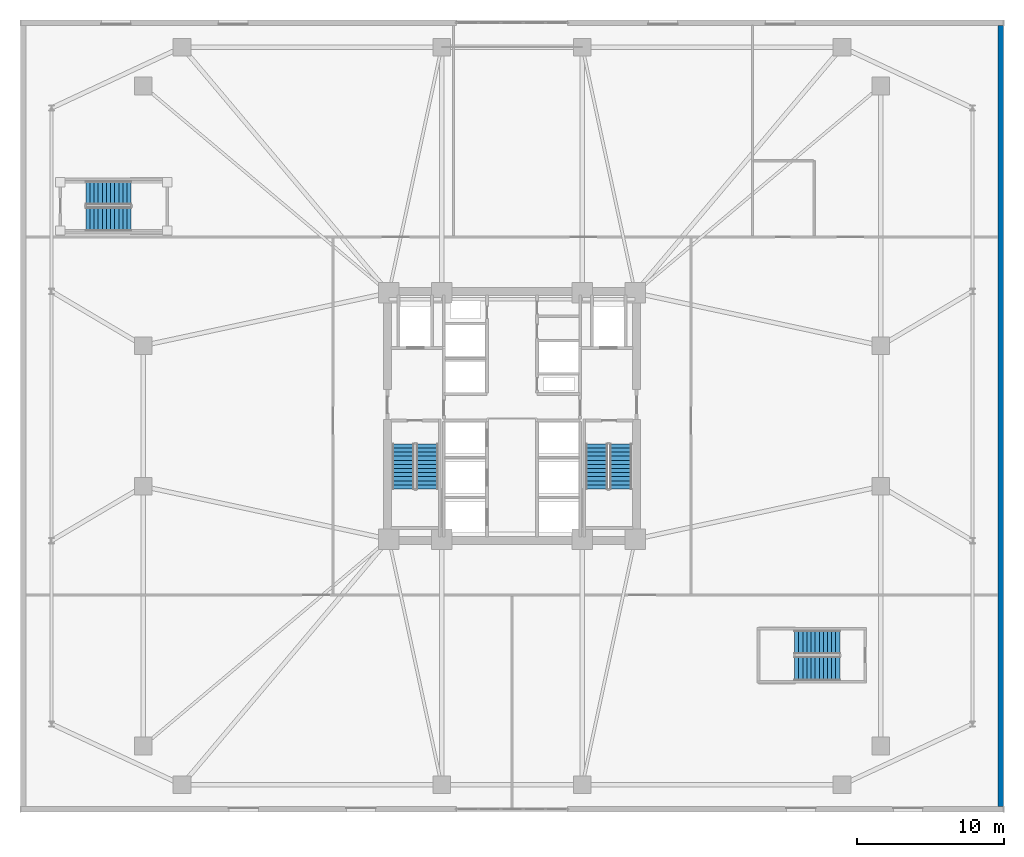
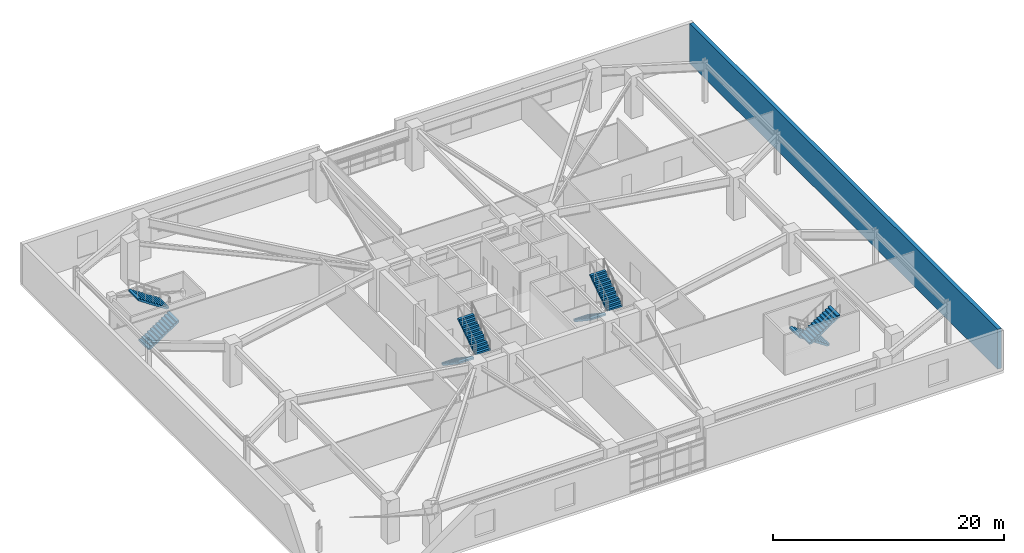
# One storey, part 15 of 21: 8 stair flights, 1 wall, 4 elements without a shape of their own.
"""IFC4 building model written with IfcOpenShell, lengths in metres."""

from ifc_helpers import new_model, si_unit, direction, frame, frame_2d, origin, place, context, subcontext, project, spatial, polyline, rectangle, outline, extrude, material, layer, layer_set, type_object, element, aggregate, save


model = new_model("IFC4")

# Units and contexts
model_context = context("Model", 3, precision=1e-05, world=origin(), true_north=direction((0.0, 1.0)))
body_context = subcontext(model_context, "Body", "Model", "MODEL_VIEW")
ifc_project = project(units=[si_unit("LENGTHUNIT", "METRE"), si_unit("AREAUNIT", "SQUARE_METRE"), si_unit("VOLUMEUNIT", "CUBIC_METRE"), si_unit("PLANEANGLEUNIT", "RADIAN"), si_unit("MASSUNIT", "GRAM", prefix="KILO")], contexts=[model_context])

# Site, building, storey
site_placement = place(None, origin())
site = spatial("IfcSite", under=ifc_project, at=site_placement, CompositionType="ELEMENT")
building_placement = place(site_placement, origin())
building = spatial("IfcBuilding", under=site, at=building_placement, Name="Cairnveth Concourse Tower", CompositionType="ELEMENT")
storey_placement = place(building_placement, frame((0.0, 0.0, 10.0)))
storey = spatial("IfcBuildingStorey", under=building, at=storey_placement, Name="L02", CompositionType="ELEMENT", Elevation=10.0)

# Wall
ifc_material_1 = material(Name="Hawthorn Red-Ochre Fired Clay Brick Masonry", Category="masonry")
ifc_layer = layer(ifc_material_1, 0.3798828125)
ifc_layer_set = layer_set([ifc_layer], Name="Hawthorn Red-Ochre Fired Clay Brick Masonry")
wall_type = type_object("IfcWallType", Name="UPPER PODIUM BRICK WALL 380", PredefinedType="SOLIDWALL", material=ifc_layer_set)
wall_placement = place(storey_placement, frame((85.31005859375, 65.635009765625, 0.0), z_axis=(0.0, 0.0, 1.0), x_axis=(0.0, -1.0, 0.0)))
element("IfcWall", 1, at=wall_placement, inside=storey, type_object=wall_type, Name="Exterior Wall EW-L02-E", PredefinedType="SOLIDWALL", context=body_context, shape_type="SweptSolid", body=[
    extrude(rectangle(XDim=53.27001953125, YDim=0.3798828125, at=frame_2d((26.635009765625, 0.0))), origin(), (0.0, 0.0, 1.0), 4.219970703125),
])

# Stair, stair flights
ifc_material_2 = material(Name="Precast concrete N50 (50 MPa)", Category="concrete")
stair_type_1 = type_object("IfcStairType", Name="CORE DOG-LEG FIRE STAIR 1500", PredefinedType="HALF_TURN_STAIR", material=ifc_material_2)
stair_1_placement = place(storey_placement, origin())
stair_1 = element("IfcStair", 2, at=stair_1_placement, inside=storey, type_object=stair_type_1, Name="L02 Fire-Isolated Stair ST-1", PredefinedType="HALF_TURN_STAIR")
stair_flight_type_1 = type_object("IfcStairFlightType", Name="PRECAST CONCRETE STAIR FLIGHT 1500", PredefinedType="STRAIGHT", material=ifc_material_2)
stair_flight_1_placement = place(storey_placement, frame((44.590087890625, 37.10009765625, 0.0), z_axis=(0.0, 0.0, 1.0), x_axis=(0.0, -1.0, 0.0)))
stair_flight_1 = element("IfcStairFlight", 3, at=stair_flight_1_placement, type_object=stair_flight_type_1, Name="ST-1 flight 1", NumberOfRisers=12, NumberOfTreads=11, PredefinedType="STRAIGHT", RiserHeight=0.1875, TreadLength=0.28, context=body_context, shape_type="SweptSolid", body=[
    extrude(outline(polyline([(0.0, 0.0), (0.0, 0.1875), (0.280029296875, 0.1875), (0.280029296875, 0.375), (0.56005859375, 0.375), (0.56005859375, 0.5625), (0.840087890625, 0.5625), (0.840087890625, 0.75), (1.1201171875, 0.75), (1.1201171875, 0.9375), (1.39990234375, 0.9375), (1.39990234375, 1.125), (1.679931640625, 1.125), (1.679931640625, 1.3125), (1.9599609375, 1.3125), (1.9599609375, 1.5), (2.239990234375, 1.5), (2.239990234375, 1.6875), (2.52001953125, 1.6875), (2.52001953125, 1.875), (2.800048828125, 1.875), (2.800048828125, 2.0625), (3.080078125, 2.0625), (3.080078125, 2.25), (3.080078125, 1.882080078125), (0.26953125, 0.0), (0.0, 0.0)])), frame((0.0, 0.75, 0.0), z_axis=(0.0, -1.0, 0.0), x_axis=(1.0, 0.0, 0.0)), (0.0, 0.0, 1.0), 1.5),
])
stair_flight_2_placement = place(storey_placement, frame((46.22998046875, 34.02001953125, 2.25), z_axis=(0.0, 0.0, 1.0), x_axis=(0.0, 1.0, 0.0)))
stair_flight_2 = element("IfcStairFlight", 4, at=stair_flight_2_placement, type_object=stair_flight_type_1, Name="ST-1 flight 2", NumberOfRisers=12, NumberOfTreads=11, PredefinedType="STRAIGHT", RiserHeight=0.1875, TreadLength=0.28, context=body_context, shape_type="SweptSolid", body=[
    extrude(outline(polyline([(0.0, 0.0), (0.0, 0.1875), (0.280029296875, 0.1875), (0.280029296875, 0.375), (0.56005859375, 0.375), (0.56005859375, 0.5625), (0.840087890625, 0.5625), (0.840087890625, 0.75), (1.1201171875, 0.75), (1.1201171875, 0.9375), (1.39990234375, 0.9375), (1.39990234375, 1.125), (1.679931640625, 1.125), (1.679931640625, 1.3125), (1.9599609375, 1.3125), (1.9599609375, 1.5), (2.239990234375, 1.5), (2.239990234375, 1.6875), (2.52001953125, 1.6875), (2.52001953125, 1.875), (2.800048828125, 1.875), (2.800048828125, 2.0625), (3.080078125, 2.0625), (3.080078125, 2.25), (3.080078125, 1.882080078125), (0.26953125, 0.0), (0.0, 0.0)])), frame((0.0, 0.75, 0.0), z_axis=(0.0, -1.0, 0.0), x_axis=(1.0, 0.0, 0.0)), (0.0, 0.0, 1.0), 1.5),
])
aggregate(stair_1, [stair_flight_1, stair_flight_2])

stair_2_placement = place(storey_placement, origin())
stair_2 = element("IfcStair", 5, at=stair_2_placement, inside=storey, type_object=stair_type_1, Name="L02 Fire-Isolated Stair ST-2", PredefinedType="HALF_TURN_STAIR")
stair_flight_3_placement = place(storey_placement, frame((57.77001953125, 37.10009765625, 0.0), z_axis=(0.0, 0.0, 1.0), x_axis=(0.0, -1.0, 0.0)))
stair_flight_3 = element("IfcStairFlight", 6, at=stair_flight_3_placement, type_object=stair_flight_type_1, Name="ST-2 flight 1", NumberOfRisers=12, NumberOfTreads=11, PredefinedType="STRAIGHT", RiserHeight=0.1875, TreadLength=0.28, context=body_context, shape_type="SweptSolid", body=[
    extrude(outline(polyline([(0.0, 0.0), (0.0, 0.1875), (0.280029296875, 0.1875), (0.280029296875, 0.375), (0.56005859375, 0.375), (0.56005859375, 0.5625), (0.840087890625, 0.5625), (0.840087890625, 0.75), (1.1201171875, 0.75), (1.1201171875, 0.9375), (1.39990234375, 0.9375), (1.39990234375, 1.125), (1.679931640625, 1.125), (1.679931640625, 1.3125), (1.9599609375, 1.3125), (1.9599609375, 1.5), (2.239990234375, 1.5), (2.239990234375, 1.6875), (2.52001953125, 1.6875), (2.52001953125, 1.875), (2.800048828125, 1.875), (2.800048828125, 2.0625), (3.080078125, 2.0625), (3.080078125, 2.25), (3.080078125, 1.882080078125), (0.26953125, 0.0), (0.0, 0.0)])), frame((0.0, 0.75, 0.0), z_axis=(0.0, -1.0, 0.0), x_axis=(1.0, 0.0, 0.0)), (0.0, 0.0, 1.0), 1.5),
])
stair_flight_4_placement = place(storey_placement, frame((59.409912109375, 34.02001953125, 2.25), z_axis=(0.0, 0.0, 1.0), x_axis=(0.0, 1.0, 0.0)))
stair_flight_4 = element("IfcStairFlight", 7, at=stair_flight_4_placement, type_object=stair_flight_type_1, Name="ST-2 flight 2", NumberOfRisers=12, NumberOfTreads=11, PredefinedType="STRAIGHT", RiserHeight=0.1875, TreadLength=0.28, context=body_context, shape_type="SweptSolid", body=[
    extrude(outline(polyline([(0.0, 0.0), (0.0, 0.1875), (0.280029296875, 0.1875), (0.280029296875, 0.375), (0.56005859375, 0.375), (0.56005859375, 0.5625), (0.840087890625, 0.5625), (0.840087890625, 0.75), (1.1201171875, 0.75), (1.1201171875, 0.9375), (1.39990234375, 0.9375), (1.39990234375, 1.125), (1.679931640625, 1.125), (1.679931640625, 1.3125), (1.9599609375, 1.3125), (1.9599609375, 1.5), (2.239990234375, 1.5), (2.239990234375, 1.6875), (2.52001953125, 1.6875), (2.52001953125, 1.875), (2.800048828125, 1.875), (2.800048828125, 2.0625), (3.080078125, 2.0625), (3.080078125, 2.25), (3.080078125, 1.882080078125), (0.26953125, 0.0), (0.0, 0.0)])), frame((0.0, 0.75, 0.0), z_axis=(0.0, -1.0, 0.0), x_axis=(1.0, 0.0, 0.0)), (0.0, 0.0, 1.0), 1.5),
])
aggregate(stair_2, [stair_flight_3, stair_flight_4])

stair_type_2 = type_object("IfcStairType", Name="PODIUM ESCAPE DOG-LEG STAIR 1650", PredefinedType="HALF_TURN_STAIR", material=ifc_material_2)
stair_3_placement = place(storey_placement, origin())
stair_3 = element("IfcStair", 8, at=stair_3_placement, inside=storey, type_object=stair_type_2, Name="L02 Fire-Isolated Stair ST-P1", PredefinedType="HALF_TURN_STAIR")
stair_flight_type_2 = type_object("IfcStairFlightType", Name="PRECAST CONCRETE STAIR FLIGHT 1650", PredefinedType="STRAIGHT", material=ifc_material_2)
stair_flight_5_placement = place(storey_placement, frame((22.949951171875, 52.425048828125, 0.0), z_axis=(0.0, 0.0, 1.0), x_axis=(1.0, 0.0, 0.0)))
stair_flight_5 = element("IfcStairFlight", 9, at=stair_flight_5_placement, type_object=stair_flight_type_2, Name="ST-P1 flight 1", NumberOfRisers=12, NumberOfTreads=11, PredefinedType="STRAIGHT", RiserHeight=0.1875, TreadLength=0.28, context=body_context, shape_type="SweptSolid", body=[
    extrude(outline(polyline([(0.0, 0.0), (0.0, 0.1875), (0.280029296875, 0.1875), (0.280029296875, 0.375), (0.56005859375, 0.375), (0.56005859375, 0.5625), (0.840087890625, 0.5625), (0.840087890625, 0.75), (1.1201171875, 0.75), (1.1201171875, 0.9375), (1.39990234375, 0.9375), (1.39990234375, 1.125), (1.679931640625, 1.125), (1.679931640625, 1.3125), (1.9599609375, 1.3125), (1.9599609375, 1.5), (2.239990234375, 1.5), (2.239990234375, 1.6875), (2.52001953125, 1.6875), (2.52001953125, 1.875), (2.800048828125, 1.875), (2.800048828125, 2.0625), (3.080078125, 2.0625), (3.080078125, 2.25), (3.080078125, 1.882080078125), (0.26953125, 0.0), (0.0, 0.0)])), frame((0.0, 0.824951171875, 0.0), z_axis=(0.0, -1.0, 0.0), x_axis=(1.0, 0.0, 0.0)), (0.0, 0.0, 1.0), 1.64990234375),
])
stair_flight_6_placement = place(storey_placement, frame((26.030029296875, 54.215087890625, 2.25), z_axis=(0.0, 0.0, 1.0), x_axis=(-1.0, 0.0, 0.0)))
stair_flight_6 = element("IfcStairFlight", 10, at=stair_flight_6_placement, type_object=stair_flight_type_2, Name="ST-P1 flight 2", NumberOfRisers=12, NumberOfTreads=11, PredefinedType="STRAIGHT", RiserHeight=0.1875, TreadLength=0.28, context=body_context, shape_type="SweptSolid", body=[
    extrude(outline(polyline([(0.0, 0.0), (0.0, 0.1875), (0.280029296875, 0.1875), (0.280029296875, 0.375), (0.56005859375, 0.375), (0.56005859375, 0.5625), (0.840087890625, 0.5625), (0.840087890625, 0.75), (1.1201171875, 0.75), (1.1201171875, 0.9375), (1.39990234375, 0.9375), (1.39990234375, 1.125), (1.679931640625, 1.125), (1.679931640625, 1.3125), (1.9599609375, 1.3125), (1.9599609375, 1.5), (2.239990234375, 1.5), (2.239990234375, 1.6875), (2.52001953125, 1.6875), (2.52001953125, 1.875), (2.800048828125, 1.875), (2.800048828125, 2.0625), (3.080078125, 2.0625), (3.080078125, 2.25), (3.080078125, 1.882080078125), (0.26953125, 0.0), (0.0, 0.0)])), frame((0.0, 0.824951171875, 0.0), z_axis=(0.0, -1.0, 0.0), x_axis=(1.0, 0.0, 0.0)), (0.0, 0.0, 1.0), 1.64990234375),
])
aggregate(stair_3, [stair_flight_5, stair_flight_6])

stair_4_placement = place(storey_placement, origin())
stair_4 = element("IfcStair", 11, at=stair_4_placement, inside=storey, type_object=stair_type_2, Name="L02 Fire-Isolated Stair ST-P2", PredefinedType="HALF_TURN_STAIR")
stair_flight_7_placement = place(storey_placement, frame((74.35009765625, 23.574951171875, 0.0), z_axis=(0.0, 0.0, 1.0), x_axis=(-1.0, 0.0, 0.0)))
stair_flight_7 = element("IfcStairFlight", 12, at=stair_flight_7_placement, type_object=stair_flight_type_2, Name="ST-P2 flight 1", NumberOfRisers=12, NumberOfTreads=11, PredefinedType="STRAIGHT", RiserHeight=0.1875, TreadLength=0.28, context=body_context, shape_type="SweptSolid", body=[
    extrude(outline(polyline([(0.0, 0.0), (0.0, 0.1875), (0.280029296875, 0.1875), (0.280029296875, 0.375), (0.56005859375, 0.375), (0.56005859375, 0.5625), (0.840087890625, 0.5625), (0.840087890625, 0.75), (1.1201171875, 0.75), (1.1201171875, 0.9375), (1.39990234375, 0.9375), (1.39990234375, 1.125), (1.679931640625, 1.125), (1.679931640625, 1.3125), (1.9599609375, 1.3125), (1.9599609375, 1.5), (2.239990234375, 1.5), (2.239990234375, 1.6875), (2.52001953125, 1.6875), (2.52001953125, 1.875), (2.800048828125, 1.875), (2.800048828125, 2.0625), (3.080078125, 2.0625), (3.080078125, 2.25), (3.080078125, 1.882080078125), (0.26953125, 0.0), (0.0, 0.0)])), frame((0.0, 0.824951171875, 0.0), z_axis=(0.0, -1.0, 0.0), x_axis=(1.0, 0.0, 0.0)), (0.0, 0.0, 1.0), 1.64990234375),
])
stair_flight_8_placement = place(storey_placement, frame((71.27001953125, 21.784912109375, 2.25), z_axis=(0.0, 0.0, 1.0), x_axis=(1.0, 0.0, 0.0)))
stair_flight_8 = element("IfcStairFlight", 13, at=stair_flight_8_placement, type_object=stair_flight_type_2, Name="ST-P2 flight 2", NumberOfRisers=12, NumberOfTreads=11, PredefinedType="STRAIGHT", RiserHeight=0.1875, TreadLength=0.28, context=body_context, shape_type="SweptSolid", body=[
    extrude(outline(polyline([(0.0, 0.0), (0.0, 0.1875), (0.280029296875, 0.1875), (0.280029296875, 0.375), (0.56005859375, 0.375), (0.56005859375, 0.5625), (0.840087890625, 0.5625), (0.840087890625, 0.75), (1.1201171875, 0.75), (1.1201171875, 0.9375), (1.39990234375, 0.9375), (1.39990234375, 1.125), (1.679931640625, 1.125), (1.679931640625, 1.3125), (1.9599609375, 1.3125), (1.9599609375, 1.5), (2.239990234375, 1.5), (2.239990234375, 1.6875), (2.52001953125, 1.6875), (2.52001953125, 1.875), (2.800048828125, 1.875), (2.800048828125, 2.0625), (3.080078125, 2.0625), (3.080078125, 2.25), (3.080078125, 1.882080078125), (0.26953125, 0.0), (0.0, 0.0)])), frame((0.0, 0.824951171875, 0.0), z_axis=(0.0, -1.0, 0.0), x_axis=(1.0, 0.0, 0.0)), (0.0, 0.0, 1.0), 1.64990234375),
])
aggregate(stair_4, [stair_flight_7, stair_flight_8])

save(model, "model.ifc")
